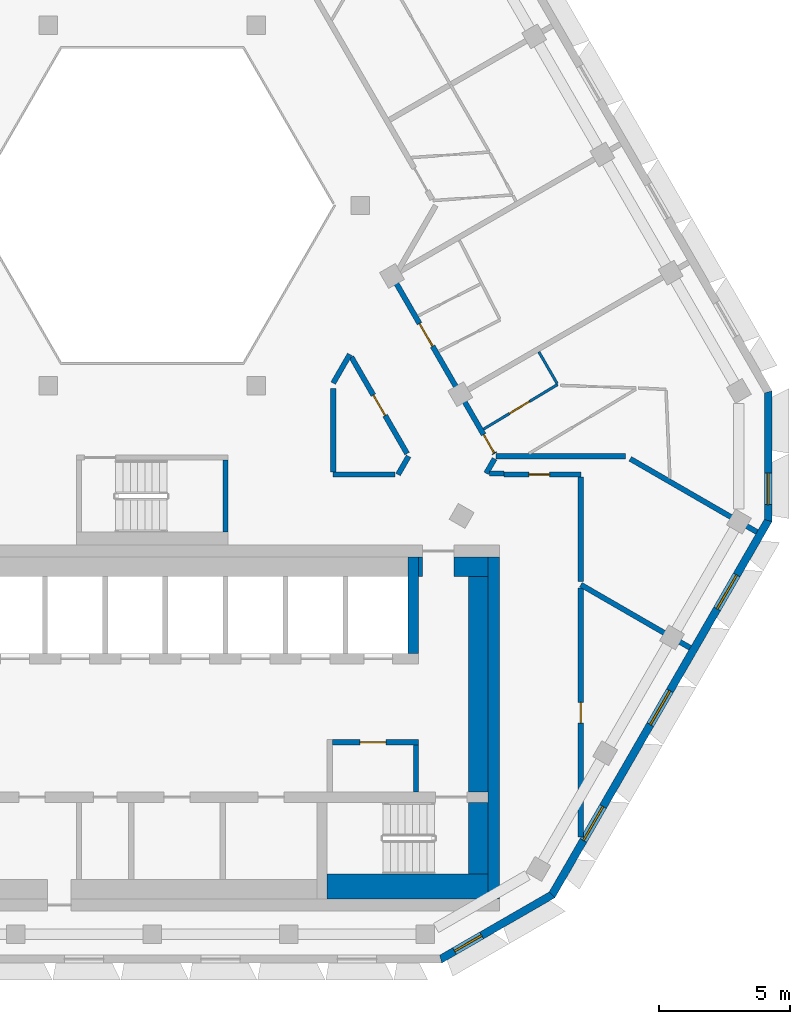
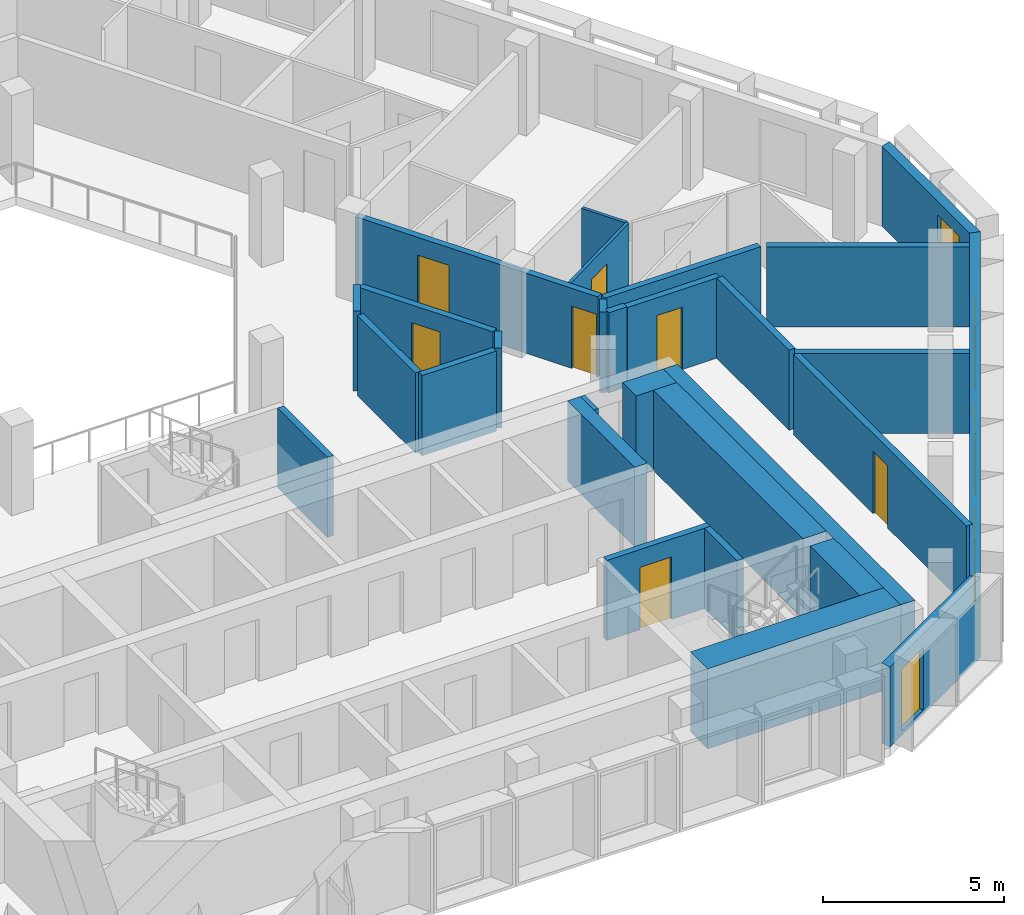
# One storey, part 5 of 14: 29 walls, 7 doors, 5 windows, 12 openings.
"""IFC4 building model written with IfcOpenShell, lengths in metres."""

from ifc_helpers import new_model, si_unit, direction, frame, frame_2d, origin, place, context, subcontext, project, spatial, polyline, rectangle, outline, extrude, material, layer, layer_set, type_object, element, fill, save


model = new_model("IFC4")

# Units and contexts
model_context = context("Model", 3, precision=1e-05, world=origin(), true_north=direction((0.0, 1.0)))
body_context = subcontext(model_context, "Body", "Model", "MODEL_VIEW")
ifc_project = project(units=[si_unit("LENGTHUNIT", "METRE"), si_unit("AREAUNIT", "SQUARE_METRE"), si_unit("VOLUMEUNIT", "CUBIC_METRE"), si_unit("PLANEANGLEUNIT", "RADIAN"), si_unit("MASSUNIT", "GRAM", prefix="KILO")], contexts=[model_context])

# Site, building, storey
site_placement = place(None, origin())
site = spatial("IfcSite", under=ifc_project, at=site_placement, CompositionType="ELEMENT")
building_placement = place(site_placement, origin())
building = spatial("IfcBuilding", under=site, at=building_placement, Name="Beryl Residences", CompositionType="ELEMENT")
storey_placement = place(building_placement, frame((0.0, 0.0, 223.800048828125)))
storey = spatial("IfcBuildingStorey", under=building, at=storey_placement, Name="L69", CompositionType="ELEMENT", Elevation=223.800048828125)

# Wall, opening, window
ifc_material_1 = material(Name="Composite metal panel with mineral wool insulation")
ifc_layer_1 = layer(ifc_material_1, 0.300048828125)
ifc_layer_set_1 = layer_set([ifc_layer_1], Name="ES1 pale metal composite panel wall 300 mm")
wall_type_1 = type_object("IfcWallType", Name="ES1 pale metal composite panel wall 300 mm", PredefinedType="SOLIDWALL", material=ifc_layer_set_1)
wall_1_placement = place(storey_placement, frame((11.010009765625, -20.8701171875, 0.0), z_axis=(0.0, 0.0, 1.0), x_axis=(0.866022959057, 0.500004234368, 0.0)))
wall_1 = element("IfcWall", 1, at=wall_1_placement, inside=storey, type_object=wall_type_1, Name="ES1 external wall L69 S-SE", PredefinedType="SOLIDWALL", context=body_context, shape_type="SweptSolid", body=[
    extrude(outline(polyline([(0.0, -0.14990234375), (5.0, -0.14990234375), (4.919677734375, 0.14990234375), (0.080322265625, 0.14990234375), (0.0, -0.14990234375)])), origin(), (0.0, 0.0, 1.0), 2.699951171875),
])
opening_1_placement = place(wall_1_placement, frame((0.64990234375, 0.0, 0.14990234375)))
opening_1 = element("IfcOpeningElement", 2, at=opening_1_placement, cuts=wall_1, Name="Opening W2", PredefinedType="OPENING", context=body_context, shape_type="SweptSolid", body=[
    extrude(rectangle(XDim=1.199951171875, YDim=2.10009765625, at=frame_2d((0.60009765625, 1.050048828125))), frame((0.0, 0.159912109375, 0.0), z_axis=(0.0, -1.0, 0.0), x_axis=(1.0, 0.0, 0.0)), (0.0, 0.0, 1.0), 0.320068359375),
])
ifc_material_2 = material(Name="Aluminium and clear glass", Category="aluminium")
window_type_1 = type_object("IfcWindowType", Name="W2 chamfer window 1200 x 2100 mm", PartitioningType="SINGLE_PANEL", PredefinedType="WINDOW", material=ifc_material_2)
window_1_placement = place(opening_1_placement, origin())
window_1 = element("IfcWindow", 3, at=window_1_placement, inside=storey, type_object=window_type_1, Name="W2 window L69 S-SE 1", OverallHeight=2.10009765625, OverallWidth=1.199951171875, PartitioningType="SINGLE_PANEL", PredefinedType="WINDOW", context=body_context, shape_type="SweptSolid", body=[
    extrude(rectangle(XDim=1.199951171875, YDim=2.10009765625, at=frame_2d((0.60009765625, 1.050048828125))), frame((0.0, 0.030029296875, 0.0), z_axis=(0.0, -1.0, 0.0), x_axis=(1.0, 0.0, 0.0)), (0.0, 0.0, 1.0), 0.06005859375),
])
fill(opening_1, window_1)

# Wall, openings, windows
wall_2_placement = place(storey_placement, frame((15.284912109375, -18.425048828125, 0.0), z_axis=(0.0, 0.0, 1.0), x_axis=(0.500012653391, 0.866018098222, 0.0)))
wall_2 = element("IfcWall", 4, at=wall_2_placement, inside=storey, type_object=wall_type_1, Name="ES1 external wall L69 SE", PredefinedType="SOLIDWALL", context=body_context, shape_type="SweptSolid", body=[
    extrude(outline(polyline([(0.0, -0.14990234375), (16.6279296875, -0.14990234375), (16.547607421875, 0.14990234375), (0.080322265625, 0.14990234375), (0.0, -0.14990234375)])), origin(), (0.0, 0.0, 1.0), 2.699951171875),
])
opening_2_placement = place(wall_2_placement, frame((2.444091796875, 0.0, 0.14990234375)))
opening_2 = element("IfcOpeningElement", 5, at=opening_2_placement, cuts=wall_2, Name="Opening W1", PredefinedType="OPENING", context=body_context, shape_type="SweptSolid", body=[
    extrude(rectangle(XDim=1.5, YDim=2.10009765625, at=frame_2d((0.75, 1.050048828125))), frame((0.0, 0.159912109375, 0.0), z_axis=(0.0, -1.0, 0.0), x_axis=(1.0, 0.0, 0.0)), (0.0, 0.0, 1.0), 0.320068359375),
])
opening_3_placement = place(wall_2_placement, frame((7.56396484375, 0.0, 0.14990234375)))
opening_3 = element("IfcOpeningElement", 6, at=opening_3_placement, cuts=wall_2, Name="Opening W1", PredefinedType="OPENING", context=body_context, shape_type="SweptSolid", body=[
    extrude(rectangle(XDim=1.5, YDim=2.10009765625, at=frame_2d((0.75, 1.050048828125))), frame((0.0, 0.159912109375, 0.0), z_axis=(0.0, -1.0, 0.0), x_axis=(1.0, 0.0, 0.0)), (0.0, 0.0, 1.0), 0.320068359375),
])
opening_4_placement = place(wall_2_placement, frame((12.681884765625, 0.0, 0.14990234375)))
opening_4 = element("IfcOpeningElement", 7, at=opening_4_placement, cuts=wall_2, Name="Opening W1", PredefinedType="OPENING", context=body_context, shape_type="SweptSolid", body=[
    extrude(rectangle(XDim=1.5, YDim=2.10009765625, at=frame_2d((0.75, 1.050048828125))), frame((0.0, 0.159912109375, 0.0), z_axis=(0.0, -1.0, 0.0), x_axis=(1.0, 0.0, 0.0)), (0.0, 0.0, 1.0), 0.320068359375),
])
ifc_material_3 = material(Name="Aluminium and clear glass", Category="aluminium")
window_type_2 = type_object("IfcWindowType", Name="W1 cell window 1500 x 2100 mm", PartitioningType="SINGLE_PANEL", PredefinedType="WINDOW", material=ifc_material_3)
window_2_placement = place(opening_2_placement, origin())
window_2 = element("IfcWindow", 8, at=window_2_placement, inside=storey, type_object=window_type_2, Name="W1 window L69 SE 2", OverallHeight=2.10009765625, OverallWidth=1.5, PartitioningType="SINGLE_PANEL", PredefinedType="WINDOW", context=body_context, shape_type="SweptSolid", body=[
    extrude(rectangle(XDim=1.5, YDim=2.10009765625, at=frame_2d((0.75, 1.050048828125))), frame((0.0, 0.030029296875, 0.0), z_axis=(0.0, -1.0, 0.0), x_axis=(1.0, 0.0, 0.0)), (0.0, 0.0, 1.0), 0.06005859375),
])
fill(opening_2, window_2)
window_3_placement = place(opening_3_placement, origin())
window_3 = element("IfcWindow", 9, at=window_3_placement, inside=storey, type_object=window_type_2, Name="W1 window L69 SE 4", OverallHeight=2.10009765625, OverallWidth=1.5, PartitioningType="SINGLE_PANEL", PredefinedType="WINDOW", context=body_context, shape_type="SweptSolid", body=[
    extrude(rectangle(XDim=1.5, YDim=2.10009765625, at=frame_2d((0.75, 1.050048828125))), frame((0.0, 0.030029296875, 0.0), z_axis=(0.0, -1.0, 0.0), x_axis=(1.0, 0.0, 0.0)), (0.0, 0.0, 1.0), 0.06005859375),
])
fill(opening_3, window_3)
window_4_placement = place(opening_4_placement, origin())
window_4 = element("IfcWindow", 10, at=window_4_placement, inside=storey, type_object=window_type_2, Name="W1 window L69 SE 6", OverallHeight=2.10009765625, OverallWidth=1.5, PartitioningType="SINGLE_PANEL", PredefinedType="WINDOW", context=body_context, shape_type="SweptSolid", body=[
    extrude(rectangle(XDim=1.5, YDim=2.10009765625, at=frame_2d((0.75, 1.050048828125))), frame((0.0, 0.030029296875, 0.0), z_axis=(0.0, -1.0, 0.0), x_axis=(1.0, 0.0, 0.0)), (0.0, 0.0, 1.0), 0.06005859375),
])
fill(opening_4, window_4)

# Wall, opening, window
wall_3_placement = place(storey_placement, frame((23.5791015625, -4.10009765625, 0.0), z_axis=(0.0, 0.0, 1.0), x_axis=(0.0, 1.0, 0.0)))
wall_3 = element("IfcWall", 11, at=wall_3_placement, inside=storey, type_object=wall_type_1, Name="ES1 external wall L69 SE-NE", PredefinedType="SOLIDWALL", context=body_context, shape_type="SweptSolid", body=[
    extrude(outline(polyline([(0.0, -0.14990234375), (5.0, -0.14990234375), (4.919677734375, 0.14990234375), (0.080322265625, 0.14990234375), (0.0, -0.14990234375)])), origin(), (0.0, 0.0, 1.0), 2.699951171875),
])
opening_5_placement = place(wall_3_placement, frame((0.64990234375, 0.0, 0.14990234375)))
opening_5 = element("IfcOpeningElement", 12, at=opening_5_placement, cuts=wall_3, Name="Opening W2", PredefinedType="OPENING", context=body_context, shape_type="SweptSolid", body=[
    extrude(rectangle(XDim=1.199951171875, YDim=2.10009765625, at=frame_2d((0.60009765625, 1.050048828125))), frame((0.0, 0.159912109375, 0.0), z_axis=(0.0, -1.0, 0.0), x_axis=(1.0, 0.0, 0.0)), (0.0, 0.0, 1.0), 0.320068359375),
])
window_5_placement = place(opening_5_placement, origin())
window_5 = element("IfcWindow", 13, at=window_5_placement, inside=storey, type_object=window_type_1, Name="W2 window L69 SE-NE 1", OverallHeight=2.10009765625, OverallWidth=1.199951171875, PartitioningType="SINGLE_PANEL", PredefinedType="WINDOW", context=body_context, shape_type="SweptSolid", body=[
    extrude(rectangle(XDim=1.199951171875, YDim=2.10009765625, at=frame_2d((0.60009765625, 1.050048828125))), frame((0.0, 0.030029296875, 0.0), z_axis=(0.0, -1.0, 0.0), x_axis=(1.0, 0.0, 0.0)), (0.0, 0.0, 1.0), 0.06005859375),
])
fill(opening_5, window_5)

# Wall
ifc_material_4 = material(Name="Gypsum board partition on steel studs", Category="steel")
ifc_layer_2 = layer(ifc_material_4, 0.10009765625)
ifc_layer_set_2 = layer_set([ifc_layer_2], Name="PT1 partition 100 mm gypsum board on steel studs")
wall_type_2 = type_object("IfcWallType", Name="PT1 partition 100 mm gypsum board on steel studs", PredefinedType="PARTITIONING", material=ifc_layer_set_2)
wall_4_placement = place(storey_placement, frame((14.800048828125, 2.39697265625, 0.0), z_axis=(0.0, 0.0, 1.0), x_axis=(0.49989805765, -0.866084252228, 0.0)))
element("IfcWall", 14, at=wall_4_placement, inside=storey, type_object=wall_type_2, Name="Wall PT1 L69 002", PredefinedType="PARTITIONING", context=body_context, shape_type="SweptSolid", body=[
    extrude(rectangle(XDim=1.404052734375, YDim=0.10009765625, at=frame_2d((0.7021484375, 0.0))), origin(), (0.0, 0.0, 1.0), 2.699951171875),
])

# Wall, opening, door
wall_5_placement = place(storey_placement, frame((12.680908203125, -0.56396484375, 0.0), z_axis=(0.0, 0.0, 1.0), x_axis=(0.856575482301, 0.516021746752, 0.0)))
wall_5 = element("IfcWall", 15, at=wall_5_placement, inside=storey, type_object=wall_type_2, Name="Wall PT1 L69 035", PredefinedType="PARTITIONING", context=body_context, shape_type="SweptSolid", body=[
    extrude(rectangle(XDim=3.315673828125, YDim=0.10009765625, at=frame_2d((1.65771484375, 0.0))), origin(), (0.0, 0.0, 1.0), 2.699951171875),
])
opening_6_placement = place(wall_5_placement, frame((1.157958984375, 0.0, 0.0)))
opening_6 = element("IfcOpeningElement", 16, at=opening_6_placement, cuts=wall_5, Name="Opening D2225", PredefinedType="OPENING", context=body_context, shape_type="SweptSolid", body=[
    extrude(rectangle(XDim=0.89990234375, YDim=2.10009765625, at=frame_2d((0.449951171875, 1.050048828125))), frame((0.0, 0.06005859375, 0.0), z_axis=(0.0, -1.0, 0.0), x_axis=(1.0, 0.0, 0.0)), (0.0, 0.0, 1.0), 0.1201171875),
])
ifc_material_5 = material(Name="Timber door leaf", Category="wood")
door_type_1 = type_object("IfcDoorType", Name="D2 room door 900 x 2100 mm", OperationType="SINGLE_SWING_LEFT", PredefinedType="DOOR", material=ifc_material_5)
door_1_placement = place(opening_6_placement, origin())
door_1 = element("IfcDoor", 17, at=door_1_placement, inside=storey, type_object=door_type_1, Name="Door D2225 L69 001", OperationType="SINGLE_SWING_LEFT", OverallHeight=2.10009765625, OverallWidth=0.89990234375, PredefinedType="DOOR", context=body_context, shape_type="SweptSolid", body=[
    extrude(rectangle(XDim=0.89990234375, YDim=2.10009765625, at=frame_2d((0.449951171875, 1.050048828125))), frame((0.0, 0.02490234375, 0.0), z_axis=(0.0, -1.0, 0.0), x_axis=(1.0, 0.0, 0.0)), (0.0, 0.0, 1.0), 0.050048828125),
])
fill(opening_6, door_1)

ifc_material_6 = material(Name="Concrete masonry", Category="masonry")
ifc_layer_3 = layer(ifc_material_6, 0.199951171875)
ifc_layer_set_3 = layer_set([ifc_layer_3], Name="PT13 lobby wall 200 mm")
wall_type_3 = type_object("IfcWallType", Name="PT13 lobby wall 200 mm", PredefinedType="PARTITIONING", material=ifc_layer_set_3)
wall_6_placement = place(storey_placement, frame((6.89990234375, -12.550048828125, 0.0), z_axis=(0.0, 0.0, 1.0), x_axis=(1.0, 0.0, 0.0)))
wall_6 = element("IfcWall", 18, at=wall_6_placement, inside=storey, type_object=wall_type_3, Name="Lobby wall 26", PredefinedType="PARTITIONING", context=body_context, shape_type="SweptSolid", body=[
    extrude(rectangle(XDim=3.300048828125, YDim=0.199951171875, at=frame_2d((1.64990234375, 0.0))), origin(), (0.0, 0.0, 1.0), 2.699951171875),
])
opening_7_placement = place(wall_6_placement, frame((2.050048828125, 0.0, 0.0), z_axis=(0.0, 0.0, 1.0), x_axis=(-1.0, 0.0, 0.0)))
opening_7 = element("IfcOpeningElement", 19, at=opening_7_placement, cuts=wall_6, Name="Opening CD-D-A1", PredefinedType="OPENING", context=body_context, shape_type="SweptSolid", body=[
    extrude(rectangle(XDim=1.0, YDim=2.10009765625, at=frame_2d((0.5, 1.050048828125))), frame((0.0, 0.10986328125, 0.0), z_axis=(0.0, -1.0, 0.0), x_axis=(1.0, 0.0, 0.0)), (0.0, 0.0, 1.0), 0.219970703125),
])
ifc_material_7 = material(Name="Steel door leaf in steel frame", Category="steel")
door_type_2 = type_object("IfcDoorType", Name="D18 service room door 1000 x 2100 mm", OperationType="SINGLE_SWING_LEFT", PredefinedType="DOOR", material=ifc_material_7)
door_2_placement = place(opening_7_placement, origin())
door_2 = element("IfcDoor", 20, at=door_2_placement, inside=storey, type_object=door_type_2, Name="Door CD-D-A1 L69 001", OperationType="SINGLE_SWING_RIGHT", OverallHeight=2.10009765625, OverallWidth=1.0, PredefinedType="DOOR", context=body_context, shape_type="SweptSolid", body=[
    extrude(rectangle(XDim=1.0, YDim=2.10009765625, at=frame_2d((0.5, 1.050048828125))), frame((0.0, 0.02490234375, 0.0), z_axis=(0.0, -1.0, 0.0), x_axis=(1.0, 0.0, 0.0)), (0.0, 0.0, 1.0), 0.050048828125),
])
fill(opening_7, door_2)

# Walls
wall_7_placement = place(storey_placement, frame((10.10009765625, -14.449951171875, 0.0), z_axis=(0.0, 0.0, 1.0), x_axis=(0.0, 1.0, 0.0)))
element("IfcWall", 21, at=wall_7_placement, inside=storey, type_object=wall_type_3, Name="Lobby wall 28", PredefinedType="PARTITIONING", context=body_context, shape_type="SweptSolid", body=[
    extrude(rectangle(XDim=1.800048828125, YDim=0.199951171875, at=frame_2d((0.89990234375, 0.0))), origin(), (0.0, 0.0, 1.0), 2.699951171875),
])
ifc_material_8 = material(Name="Concrete masonry", Category="masonry")
ifc_layer_4 = layer(ifc_material_8, 0.14990234375)
ifc_layer_set_4 = layer_set([ifc_layer_4], Name="PT13-150 lobby wall 150 mm")
wall_type_4 = type_object("IfcWallType", Name="PT13-150 lobby wall 150 mm", PredefinedType="PARTITIONING", material=ifc_layer_set_4)
wall_8_placement = place(storey_placement, frame((10.27490234375, -6.199951171875, 0.0), z_axis=(0.0, 0.0, 1.0), x_axis=(0.0, 1.0, 0.0)))
element("IfcWall", 22, at=wall_8_placement, inside=storey, type_object=wall_type_4, Name="Lobby wall 29", PredefinedType="PARTITIONING", context=body_context, shape_type="SweptSolid", body=[
    extrude(rectangle(XDim=0.75, YDim=0.14990234375, at=frame_2d((0.375, 0.0))), origin(), (0.0, 0.0, 1.0), 2.699951171875),
])
ifc_material_9 = material(Name="Concrete masonry", Category="masonry")
ifc_layer_5 = layer(ifc_material_9, 0.75)
ifc_layer_set_5 = layer_set([ifc_layer_5], Name="PT13-750 lobby wall 750 mm")
wall_type_5 = type_object("IfcWallType", Name="PT13-750 lobby wall 750 mm", PredefinedType="PARTITIONING", material=ifc_layer_set_5)
wall_9_placement = place(storey_placement, frame((11.550048828125, -5.824951171875, 0.0), z_axis=(0.0, 0.0, 1.0), x_axis=(1.0, 0.0, 0.0)))
element("IfcWall", 23, at=wall_9_placement, inside=storey, type_object=wall_type_5, Name="Lobby wall 30", PredefinedType="PARTITIONING", context=body_context, shape_type="SweptSolid", body=[
    extrude(rectangle(XDim=1.300048828125, YDim=0.75, at=frame_2d((0.64990234375, 0.0))), origin(), (0.0, 0.0, 1.0), 2.699951171875),
])
wall_10_placement = place(storey_placement, frame((12.47509765625, -14.449951171875, 0.0), z_axis=(0.0, 0.0, 1.0), x_axis=(0.0, 1.0, 0.0)))
element("IfcWall", 24, at=wall_10_placement, inside=storey, type_object=wall_type_5, Name="Lobby wall 32", PredefinedType="PARTITIONING", context=body_context, shape_type="SweptSolid", body=[
    extrude(rectangle(XDim=8.25, YDim=0.75, at=frame_2d((4.125, 0.0))), origin(), (0.0, 0.0, 1.0), 2.699951171875),
])
ifc_material_10 = material(Name="Acoustic double stud gypsum board wall")
ifc_layer_6 = layer(ifc_material_10, 0.199951171875)
ifc_layer_set_6 = layer_set([ifc_layer_6], Name="PT3 party wall 200 mm acoustic double stud")
wall_type_6 = type_object("IfcWallType", Name="PT3 party wall 200 mm acoustic double stud", PredefinedType="PARTITIONING", material=ifc_layer_set_6)
wall_11_placement = place(storey_placement, frame((18.299072265625, -1.698974609375, 0.0), z_axis=(0.0, 0.0, 1.0), x_axis=(0.865962789554, -0.50010843535, 0.0)))
element("IfcWall", 25, at=wall_11_placement, inside=storey, type_object=wall_type_6, Name="Wall PT3 L69 002", PredefinedType="PARTITIONING", context=body_context, shape_type="SweptSolid", body=[
    extrude(rectangle(XDim=5.602783203125, YDim=0.199951171875, at=frame_2d((2.80126953125, 0.0))), origin(), (0.0, 0.0, 1.0), 2.699951171875),
])
wall_12_placement = place(storey_placement, frame((16.407958984375, -6.51904296875, 0.0), z_axis=(0.0, 0.0, 1.0), x_axis=(0.866032396701, -0.499987887718, 0.0)))
element("IfcWall", 26, at=wall_12_placement, inside=storey, type_object=wall_type_6, Name="Wall PT3 L69 003", PredefinedType="PARTITIONING", context=body_context, shape_type="SweptSolid", body=[
    extrude(rectangle(XDim=4.830078125, YDim=0.199951171875, at=frame_2d((2.4150390625, 0.0))), origin(), (0.0, 0.0, 1.0), 2.699951171875),
])
wall_13_placement = place(storey_placement, frame((13.1630859375, -1.59912109375, 0.0), z_axis=(0.0, 0.0, 1.0), x_axis=(1.0, 0.0, 0.0)))
element("IfcWall", 27, at=wall_13_placement, inside=storey, type_object=wall_type_6, Name="Wall PT3 L69 006", PredefinedType="PARTITIONING", context=body_context, shape_type="SweptSolid", body=[
    extrude(rectangle(XDim=4.9619140625, YDim=0.199951171875, at=frame_2d((2.48095703125, 0.0))), origin(), (0.0, 0.0, 1.0), 2.699951171875),
])

# Wall, opening, door
ifc_material_11 = material(Name="Double stud gypsum board wall")
ifc_layer_7 = layer(ifc_material_11, 0.199951171875)
ifc_layer_set_7 = layer_set([ifc_layer_7], Name="PT4 corridor wall 200 mm double stud")
wall_type_7 = type_object("IfcWallType", Name="PT4 corridor wall 200 mm double stud", PredefinedType="PARTITIONING", material=ifc_layer_set_7)
wall_14_placement = place(storey_placement, frame((7.6220703125, 2.198974609375, 0.0), z_axis=(0.0, 0.0, 1.0), x_axis=(0.499994660107, -0.866028486751, 0.0)))
wall_14 = element("IfcWall", 28, at=wall_14_placement, inside=storey, type_object=wall_type_7, Name="Wall PT4 L69 004", PredefinedType="PARTITIONING", context=body_context, shape_type="SweptSolid", body=[
    extrude(rectangle(XDim=4.27001953125, YDim=0.199951171875, at=frame_2d((2.135009765625, 0.0))), origin(), (0.0, 0.0, 1.0), 2.699951171875),
])
opening_8_placement = place(wall_14_placement, frame((1.68505859375, 0.0, 0.0)))
opening_8 = element("IfcOpeningElement", 29, at=opening_8_placement, cuts=wall_14, Name="Opening D2235", PredefinedType="OPENING", context=body_context, shape_type="SweptSolid", body=[
    extrude(rectangle(XDim=0.89990234375, YDim=2.10009765625, at=frame_2d((0.449951171875, 1.050048828125))), frame((0.0, 0.10986328125, 0.0), z_axis=(0.0, -1.0, 0.0), x_axis=(1.0, 0.0, 0.0)), (0.0, 0.0, 1.0), 0.219970703125),
])
door_3_placement = place(opening_8_placement, origin())
door_3 = element("IfcDoor", 30, at=door_3_placement, inside=storey, type_object=door_type_1, Name="Door D2235 L69 001", OperationType="SINGLE_SWING_LEFT", OverallHeight=2.10009765625, OverallWidth=0.89990234375, PredefinedType="DOOR", context=body_context, shape_type="SweptSolid", body=[
    extrude(rectangle(XDim=0.89990234375, YDim=2.10009765625, at=frame_2d((0.449951171875, 1.050048828125))), frame((0.0, 0.02490234375, 0.0), z_axis=(0.0, -1.0, 0.0), x_axis=(1.0, 0.0, 0.0)), (0.0, 0.0, 1.0), 0.050048828125),
])
fill(opening_8, door_3)

# Wall, openings, doors
wall_15_placement = place(storey_placement, frame((9.238037109375, 5.199951171875, 0.0), z_axis=(0.0, 0.0, 1.0), x_axis=(0.500025705601, -0.86601056214, 0.0)))
wall_15 = element("IfcWall", 31, at=wall_15_placement, inside=storey, type_object=wall_type_7, Name="Wall PT4 L69 005", PredefinedType="PARTITIONING", context=body_context, shape_type="SweptSolid", body=[
    extrude(rectangle(XDim=7.7353515625, YDim=0.199951171875, at=frame_2d((3.86767578125, 0.0))), origin(), (0.0, 0.0, 1.0), 2.699951171875),
])
opening_9_placement = place(wall_15_placement, frame((6.89794921875, 0.0, 0.0)))
opening_9 = element("IfcOpeningElement", 32, at=opening_9_placement, cuts=wall_15, Name="Opening D2223", PredefinedType="OPENING", context=body_context, shape_type="SweptSolid", body=[
    extrude(rectangle(XDim=0.800048828125, YDim=2.10009765625, at=frame_2d((0.39990234375, 1.050048828125))), frame((0.0, 0.10986328125, 0.0), z_axis=(0.0, -1.0, 0.0), x_axis=(1.0, 0.0, 0.0)), (0.0, 0.0, 1.0), 0.219970703125),
])
opening_10_placement = place(wall_15_placement, frame((1.988037109375, 0.0, 0.0)))
opening_10 = element("IfcOpeningElement", 33, at=opening_10_placement, cuts=wall_15, Name="Opening D2227", PredefinedType="OPENING", context=body_context, shape_type="SweptSolid", body=[
    extrude(rectangle(XDim=1.0, YDim=2.10009765625, at=frame_2d((0.5, 1.050048828125))), frame((0.0, 0.10986328125, 0.0), z_axis=(0.0, -1.0, 0.0), x_axis=(1.0, 0.0, 0.0)), (0.0, 0.0, 1.0), 0.219970703125),
])
ifc_material_12 = material(Name="Timber door leaf", Category="wood")
door_type_3 = type_object("IfcDoorType", Name="D1 flat entrance door 1000 x 2100 mm", OperationType="SINGLE_SWING_LEFT", PredefinedType="DOOR", material=ifc_material_12)
door_4_placement = place(opening_10_placement, origin())
door_4 = element("IfcDoor", 34, at=door_4_placement, inside=storey, type_object=door_type_3, Name="Door D2227 L69 001", OperationType="SINGLE_SWING_LEFT", OverallHeight=2.10009765625, OverallWidth=1.0, PredefinedType="DOOR", context=body_context, shape_type="SweptSolid", body=[
    extrude(rectangle(XDim=1.0, YDim=2.10009765625, at=frame_2d((0.5, 1.050048828125))), frame((0.0, 0.02490234375, 0.0), z_axis=(0.0, -1.0, 0.0), x_axis=(1.0, 0.0, 0.0)), (0.0, 0.0, 1.0), 0.050048828125),
])
fill(opening_10, door_4)
ifc_material_13 = material(Name="Timber door leaf", Category="wood")
door_type_4 = type_object("IfcDoorType", Name="D12 flat entrance door 800 x 2100 mm", OperationType="SINGLE_SWING_LEFT", PredefinedType="DOOR", material=ifc_material_13)
door_5_placement = place(opening_9_placement, origin())
door_5 = element("IfcDoor", 35, at=door_5_placement, inside=storey, type_object=door_type_4, Name="Door D2223 L69 001", OperationType="SINGLE_SWING_LEFT", OverallHeight=2.10009765625, OverallWidth=0.800048828125, PredefinedType="DOOR", context=body_context, shape_type="SweptSolid", body=[
    extrude(rectangle(XDim=0.800048828125, YDim=2.10009765625, at=frame_2d((0.39990234375, 1.050048828125))), frame((0.0, 0.02490234375, 0.0), z_axis=(0.0, -1.0, 0.0), x_axis=(1.0, 0.0, 0.0)), (0.0, 0.0, 1.0), 0.050048828125),
])
fill(opening_9, door_5)

# Walls
wall_16_placement = place(storey_placement, frame((6.927978515625, 1.0, 0.0), z_axis=(0.0, 0.0, 1.0), x_axis=(0.0, -1.0, 0.0)))
element("IfcWall", 36, at=wall_16_placement, inside=storey, type_object=wall_type_7, Name="Wall PT4 L69 008", PredefinedType="PARTITIONING", context=body_context, shape_type="SweptSolid", body=[
    extrude(rectangle(XDim=3.198974609375, YDim=0.199951171875, at=frame_2d((1.599609375, 0.0))), origin(), (0.0, 0.0, 1.0), 2.699951171875),
])
wall_17_placement = place(storey_placement, frame((16.407958984375, -2.39990234375, 0.0), z_axis=(0.0, 0.0, 1.0), x_axis=(0.0, -1.0, 0.0)))
element("IfcWall", 37, at=wall_17_placement, inside=storey, type_object=wall_type_7, Name="Wall PT4 L69 009", PredefinedType="PARTITIONING", context=body_context, shape_type="SweptSolid", body=[
    extrude(rectangle(XDim=4.004150390625, YDim=0.199951171875, at=frame_2d((2.001953125, 0.0))), origin(), (0.0, 0.0, 1.0), 2.699951171875),
])
wall_18_placement = place(storey_placement, frame((12.902099609375, -2.256103515625, 0.0), z_axis=(0.0, 0.0, 1.0), x_axis=(1.0, 0.0, 0.0)))
element("IfcWall", 38, at=wall_18_placement, inside=storey, type_object=wall_type_7, Name="Wall PT4 L69 012", PredefinedType="PARTITIONING", context=body_context, shape_type="SweptSolid", body=[
    extrude(rectangle(XDim=0.57080078125, YDim=0.199951171875, at=frame_2d((0.285400390625, 0.0))), origin(), (0.0, 0.0, 1.0), 2.699951171875),
])
wall_19_placement = place(storey_placement, frame((6.928955078125, -2.300048828125, 0.0), z_axis=(0.0, 0.0, 1.0), x_axis=(1.0, 0.0, 0.0)))
element("IfcWall", 39, at=wall_19_placement, inside=storey, type_object=wall_type_7, Name="Wall PT4 L69 015", PredefinedType="PARTITIONING", context=body_context, shape_type="SweptSolid", body=[
    extrude(rectangle(XDim=2.364990234375, YDim=0.199951171875, at=frame_2d((1.1826171875, 0.0))), origin(), (0.0, 0.0, 1.0), 2.699951171875),
])

# Wall, opening, door
wall_20_placement = place(storey_placement, frame((13.47412109375, -2.300048828125, 0.0), z_axis=(0.0, 0.0, 1.0), x_axis=(1.0, 0.0, 0.0)))
wall_20 = element("IfcWall", 40, at=wall_20_placement, inside=storey, type_object=wall_type_7, Name="Wall PT4 L69 016", PredefinedType="PARTITIONING", context=body_context, shape_type="SweptSolid", body=[
    extrude(rectangle(XDim=2.933837890625, YDim=0.199951171875, at=frame_2d((1.466796875, 0.0))), origin(), (0.0, 0.0, 1.0), 2.699951171875),
])
opening_11_placement = place(wall_20_placement, frame((0.94189453125, 0.0, 0.0)))
opening_11 = element("IfcOpeningElement", 41, at=opening_11_placement, cuts=wall_20, Name="Opening D2222", PredefinedType="OPENING", context=body_context, shape_type="SweptSolid", body=[
    extrude(rectangle(XDim=0.800048828125, YDim=2.10009765625, at=frame_2d((0.39990234375, 1.050048828125))), frame((0.0, 0.10986328125, 0.0), z_axis=(0.0, -1.0, 0.0), x_axis=(1.0, 0.0, 0.0)), (0.0, 0.0, 1.0), 0.219970703125),
])
ifc_material_14 = material(Name="Timber door leaf", Category="wood")
door_type_5 = type_object("IfcDoorType", Name="D3 bathroom door 800 x 2100 mm", OperationType="SINGLE_SWING_LEFT", PredefinedType="DOOR", material=ifc_material_14)
door_6_placement = place(opening_11_placement, origin())
door_6 = element("IfcDoor", 42, at=door_6_placement, inside=storey, type_object=door_type_5, Name="Door D2222 L69 001", OperationType="SINGLE_SWING_RIGHT", OverallHeight=2.10009765625, OverallWidth=0.800048828125, PredefinedType="DOOR", context=body_context, shape_type="SweptSolid", body=[
    extrude(rectangle(XDim=0.800048828125, YDim=2.10009765625, at=frame_2d((0.39990234375, 1.050048828125))), frame((0.0, 0.02490234375, 0.0), z_axis=(0.0, -1.0, 0.0), x_axis=(1.0, 0.0, 0.0)), (0.0, 0.0, 1.0), 0.050048828125),
])
fill(opening_11, door_6)

# Walls
wall_21_placement = place(storey_placement, frame((6.927978515625, 1.199951171875, 0.0), z_axis=(0.0, 0.0, 1.0), x_axis=(0.500255167297, 0.865878032746, 0.0)))
element("IfcWall", 43, at=wall_21_placement, inside=storey, type_object=wall_type_7, Name="Wall PT4 L69 018", PredefinedType="PARTITIONING", context=body_context, shape_type="SweptSolid", body=[
    extrude(rectangle(XDim=1.269287109375, YDim=0.199951171875, at=frame_2d((0.634765625, 0.0))), origin(), (0.0, 0.0, 1.0), 2.699951171875),
])
wall_22_placement = place(storey_placement, frame((9.410888671875, -2.300048828125, 0.0), z_axis=(0.0, 0.0, 1.0), x_axis=(0.499940363534, 0.866059832176, 0.0)))
element("IfcWall", 44, at=wall_22_placement, inside=storey, type_object=wall_type_7, Name="Wall PT4 L69 020", PredefinedType="PARTITIONING", context=body_context, shape_type="SweptSolid", body=[
    extrude(rectangle(XDim=0.80810546875, YDim=0.199951171875, at=frame_2d((0.404052734375, 0.0))), origin(), (0.0, 0.0, 1.0), 2.699951171875),
])
wall_23_placement = place(storey_placement, frame((12.784912109375, -2.25390625, 0.0), z_axis=(0.0, 0.0, 1.0), x_axis=(0.500766044352, 0.865582675903, 0.0)))
element("IfcWall", 45, at=wall_23_placement, inside=storey, type_object=wall_type_7, Name="Wall PT4 L69 021", PredefinedType="PARTITIONING", context=body_context, shape_type="SweptSolid", body=[
    extrude(rectangle(XDim=0.64111328125, YDim=0.199951171875, at=frame_2d((0.320556640625, 0.0))), origin(), (0.0, 0.0, 1.0), 2.699951171875),
])

# Wall, opening, door
wall_24_placement = place(storey_placement, frame((16.407958984375, -16.178955078125, 0.0), z_axis=(0.0, 0.0, 1.0), x_axis=(0.0, 1.0, 0.0)))
wall_24 = element("IfcWall", 46, at=wall_24_placement, inside=storey, type_object=wall_type_7, Name="Wall PT4 L69 025", PredefinedType="PARTITIONING", context=body_context, shape_type="SweptSolid", body=[
    extrude(rectangle(XDim=9.5439453125, YDim=0.199951171875, at=frame_2d((4.77197265625, 0.0))), origin(), (0.0, 0.0, 1.0), 2.699951171875),
])
opening_12_placement = place(wall_24_placement, frame((4.35791015625, 0.0, 0.0)))
opening_12 = element("IfcOpeningElement", 47, at=opening_12_placement, cuts=wall_24, Name="Opening D2221", PredefinedType="OPENING", context=body_context, shape_type="SweptSolid", body=[
    extrude(rectangle(XDim=0.800048828125, YDim=2.10009765625, at=frame_2d((0.39990234375, 1.050048828125))), frame((0.0, 0.10986328125, 0.0), z_axis=(0.0, -1.0, 0.0), x_axis=(1.0, 0.0, 0.0)), (0.0, 0.0, 1.0), 0.219970703125),
])
door_7_placement = place(opening_12_placement, origin())
door_7 = element("IfcDoor", 48, at=door_7_placement, inside=storey, type_object=door_type_5, Name="Door D2221 L69 001", OperationType="SINGLE_SWING_LEFT", OverallHeight=2.10009765625, OverallWidth=0.800048828125, PredefinedType="DOOR", context=body_context, shape_type="SweptSolid", body=[
    extrude(rectangle(XDim=0.800048828125, YDim=2.10009765625, at=frame_2d((0.39990234375, 1.050048828125))), frame((0.0, 0.02490234375, 0.0), z_axis=(0.0, -1.0, 0.0), x_axis=(1.0, 0.0, 0.0)), (0.0, 0.0, 1.0), 0.050048828125),
])
fill(opening_12, door_7)

# Walls
ifc_material_15 = material(Name="Concrete C40/50", Category="concrete")
ifc_layer_8 = layer(ifc_material_15, 0.199951171875)
ifc_layer_set_8 = layer_set([ifc_layer_8], Name="PT5 stair enclosure wall 200 mm reinforced concrete C40/50")
wall_type_8 = type_object("IfcWallType", Name="PT5 stair enclosure wall 200 mm reinforced concrete C40/50", PredefinedType="SOLIDWALL", material=ifc_layer_set_8)
wall_25_placement = place(storey_placement, frame((2.800048828125, -4.5, 0.0), z_axis=(0.0, 0.0, 1.0), x_axis=(0.0, 1.0, 0.0)))
element("IfcWall", 49, at=wall_25_placement, inside=storey, type_object=wall_type_8, Name="Wall PT5 L69 003", PredefinedType="SOLIDWALL", context=body_context, shape_type="SweptSolid", body=[
    extrude(rectangle(XDim=2.75, YDim=0.199951171875, at=frame_2d((1.375, 0.0))), origin(), (0.0, 0.0, 1.0), 2.699951171875),
])
ifc_material_16 = material(Name="Concrete C40/50", Category="concrete")
ifc_layer_9 = layer(ifc_material_16, 0.75)
ifc_layer_set_9 = layer_set([ifc_layer_9], Name="PT5-750 stair enclosure wall 750 mm")
wall_type_9 = type_object("IfcWallType", Name="PT5-750 stair enclosure wall 750 mm", PredefinedType="SOLIDWALL", material=ifc_layer_set_9)
wall_26_placement = place(storey_placement, frame((12.47509765625, -17.60009765625, 0.0), z_axis=(0.0, 0.0, 1.0), x_axis=(0.0, 1.0, 0.0)))
element("IfcWall", 50, at=wall_26_placement, inside=storey, type_object=wall_type_9, Name="Stair wall 31", PredefinedType="SOLIDWALL", context=body_context, shape_type="SweptSolid", body=[
    extrude(rectangle(XDim=2.75, YDim=0.75, at=frame_2d((1.375, 0.0))), origin(), (0.0, 0.0, 1.0), 2.699951171875),
])
ifc_material_17 = material(Name="Concrete C40/50", Category="concrete")
ifc_layer_10 = layer(ifc_material_17, 0.949951171875)
ifc_layer_set_10 = layer_set([ifc_layer_10], Name="PT5-950 stair enclosure wall 950 mm")
wall_type_10 = type_object("IfcWallType", Name="PT5-950 stair enclosure wall 950 mm", PredefinedType="SOLIDWALL", material=ifc_layer_set_10)
wall_27_placement = place(storey_placement, frame((6.699951171875, -18.074951171875, 0.0), z_axis=(0.0, 0.0, 1.0), x_axis=(1.0, 0.0, 0.0)))
element("IfcWall", 51, at=wall_27_placement, inside=storey, type_object=wall_type_10, Name="Stair wall 24", PredefinedType="SOLIDWALL", context=body_context, shape_type="SweptSolid", body=[
    extrude(rectangle(XDim=6.150146484375, YDim=0.949951171875, at=frame_2d((3.0751953125, 0.0))), origin(), (0.0, 0.0, 1.0), 2.699951171875),
])
ifc_material_18 = material(Name="Concrete C50/60", Category="concrete")
ifc_layer_11 = layer(ifc_material_18, 0.39990234375)
ifc_layer_set_11 = layer_set([ifc_layer_11], Name="SW10 core internal wall 400 mm C50/60")
wall_type_11 = type_object("IfcWallType", Name="SW10 core internal wall 400 mm C50/60", PredefinedType="SHEAR", material=ifc_layer_set_11)
wall_28_placement = place(storey_placement, frame((10.0, -9.14990234375, 0.0), z_axis=(0.0, 0.0, 1.0), x_axis=(0.0, 1.0, 0.0)))
element("IfcWall", 52, at=wall_28_placement, inside=storey, type_object=wall_type_11, Name="Core wall XN2 L69", PredefinedType="SHEAR", context=body_context, shape_type="SweptSolid", body=[
    extrude(rectangle(XDim=3.699951171875, YDim=0.39990234375, at=frame_2d((1.85009765625, 0.0))), origin(), (0.0, 0.0, 1.0), 2.699951171875),
])
ifc_material_19 = material(Name="Concrete C50/60", Category="concrete")
ifc_layer_12 = layer(ifc_material_19, 0.449951171875)
ifc_layer_set_12 = layer_set([ifc_layer_12], Name="SW5 core outer wall 450 mm C50/60")
wall_type_12 = type_object("IfcWallType", Name="SW5 core outer wall 450 mm C50/60", PredefinedType="SHEAR", material=ifc_layer_set_12)
wall_29_placement = place(storey_placement, frame((13.074951171875, -18.550048828125, 0.0), z_axis=(0.0, 0.0, 1.0), x_axis=(0.0, 1.0, 0.0)))
element("IfcWall", 53, at=wall_29_placement, inside=storey, type_object=wall_type_12, Name="Core wall E L69", PredefinedType="SHEAR", context=body_context, shape_type="SweptSolid", body=[
    extrude(rectangle(XDim=13.10009765625, YDim=0.449951171875, at=frame_2d((6.550048828125, 0.0))), origin(), (0.0, 0.0, 1.0), 2.699951171875),
])

save(model, "model.ifc")
